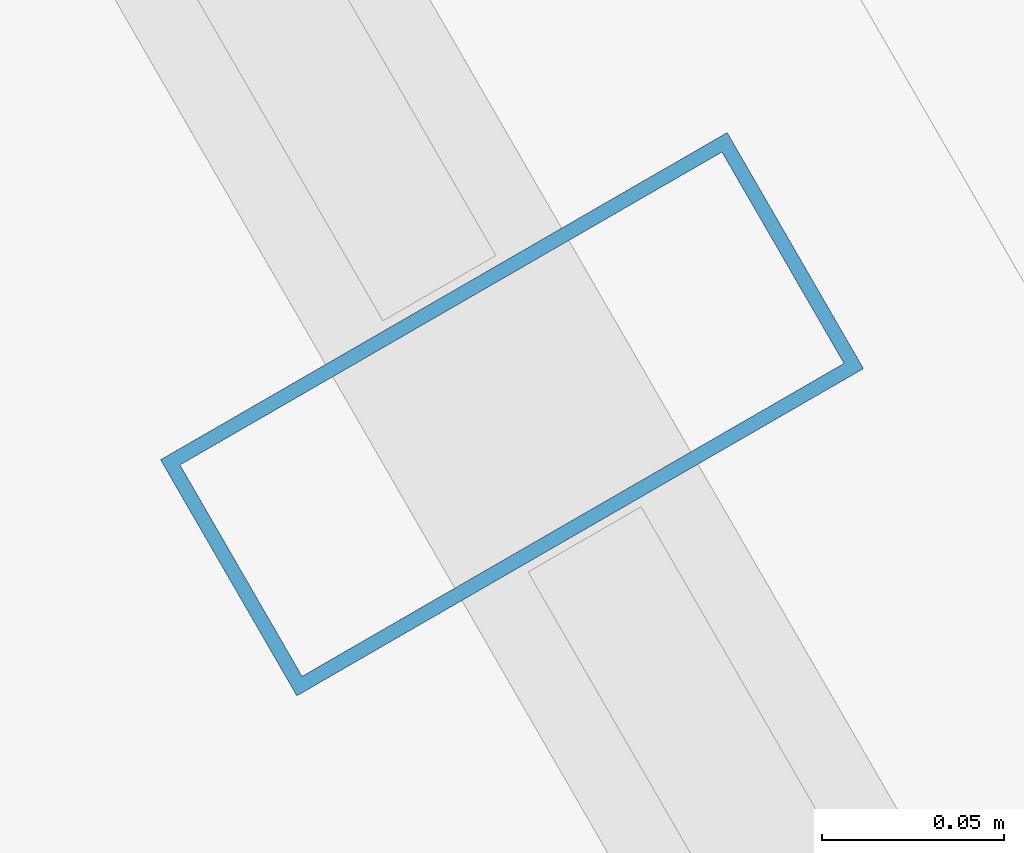
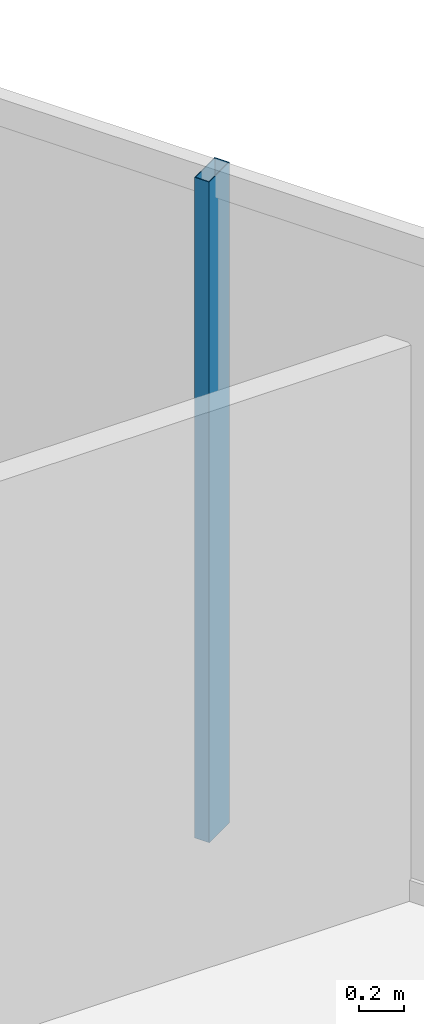
# One storey, part 17 of 35: 1 member, 1 element without a shape of its own.
"""IFC4 building model written with IfcOpenShell, lengths in metres."""

from ifc_helpers import new_model, si_unit, direction, frame, origin, origin_2d, place, context, subcontext, project, spatial, hollow_rectangle, extrude, material, layer, layer_set, material_profile, profile_set, type_object, element, aggregate, save


model = new_model("IFC4")

# Units and contexts
model_context = context("Model", 3, precision=1e-05, world=origin(), true_north=direction((0.0, 1.0)))
body_context = subcontext(model_context, "Body", "Model", "MODEL_VIEW")
ifc_project = project(units=[si_unit("LENGTHUNIT", "METRE"), si_unit("AREAUNIT", "SQUARE_METRE"), si_unit("VOLUMEUNIT", "CUBIC_METRE"), si_unit("PLANEANGLEUNIT", "RADIAN"), si_unit("MASSUNIT", "GRAM", prefix="KILO")], contexts=[model_context])

# Site, building, storey
site_placement = place(None, origin())
site = spatial("IfcSite", under=ifc_project, at=site_placement, CompositionType="ELEMENT")
building_placement = place(site_placement, origin())
building = spatial("IfcBuilding", under=site, at=building_placement, Name="Ndaravel Arena Tower", CompositionType="ELEMENT")
storey_placement = place(building_placement, frame((0.0, 0.0, 172.60009765625)))
storey = spatial("IfcBuildingStorey", under=building, at=storey_placement, Name="L41", CompositionType="ELEMENT", Elevation=172.60009765625)

# Curtain wall, member
ifc_material_1 = material(Name="Aluminium", Category="aluminium")
ifc_layer = layer(ifc_material_1, 0.179931640625)
ifc_layer_set = layer_set([ifc_layer], Name="Aluminium")
curtain_wall_type = type_object("IfcCurtainWallType", Name="CW-SYS-03", PredefinedType="NOTDEFINED", material=ifc_layer_set)
curtain_wall_placement = place(storey_placement, origin())
curtain_wall = element("IfcCurtainWall", 1, at=curtain_wall_placement, inside=storey, type_object=curtain_wall_type, Name="L41 Faceted Crystal Curtain Wall CW-L41-E03", PredefinedType="NOTDEFINED")
ifc_material_2 = material(Name="Aluminium", Category="aluminium")
ifc_material_profile = material_profile(ifc_material_2, hollow_rectangle(XDim=0.074951171875, YDim=0.179931640625, WallThickness=0.00390625, at=origin_2d()), Name="CW MULLION 75x180x4")
ifc_profile_set = profile_set([ifc_material_profile], Name="Aluminium")
member_type = type_object("IfcMemberType", Name="MEM-CW-MUL180", PredefinedType="MULLION", material=ifc_profile_set)
member_placement = place(storey_placement, frame((57.40966796875, 28.250732421875, 0.0), z_axis=(0.0, 0.0, 1.0), x_axis=(-0.5, 0.866025403784, 0.0)))
member = element("IfcMember", 2, at=member_placement, type_object=member_type, Name="CW-L41-E03 Mullion 04", PredefinedType="MULLION", context=body_context, shape_type="SweptSolid", body=[
    extrude(hollow_rectangle(XDim=0.074951171875, YDim=0.179931640625, WallThickness=0.00390625, at=origin_2d()), origin(), (0.0, 0.0, 1.0), 3.579833984375),
])
aggregate(curtain_wall, [member])

save(model, "model.ifc")
